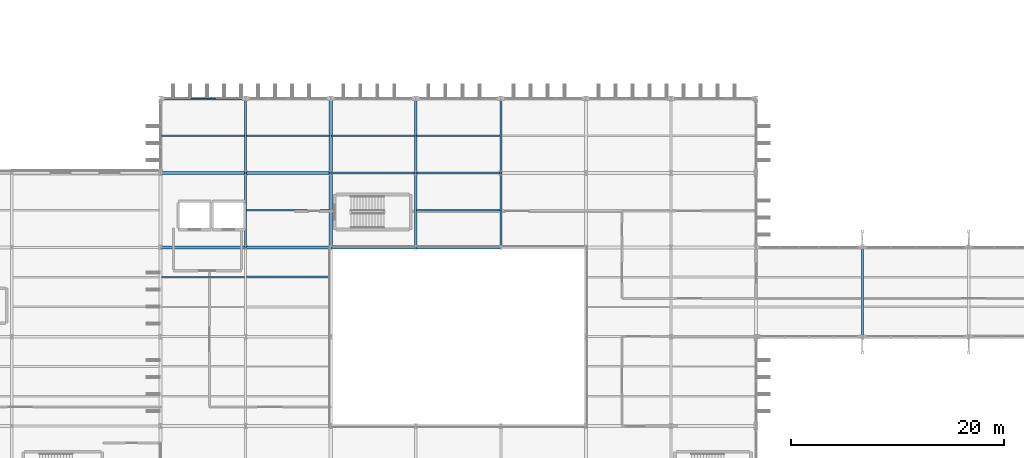
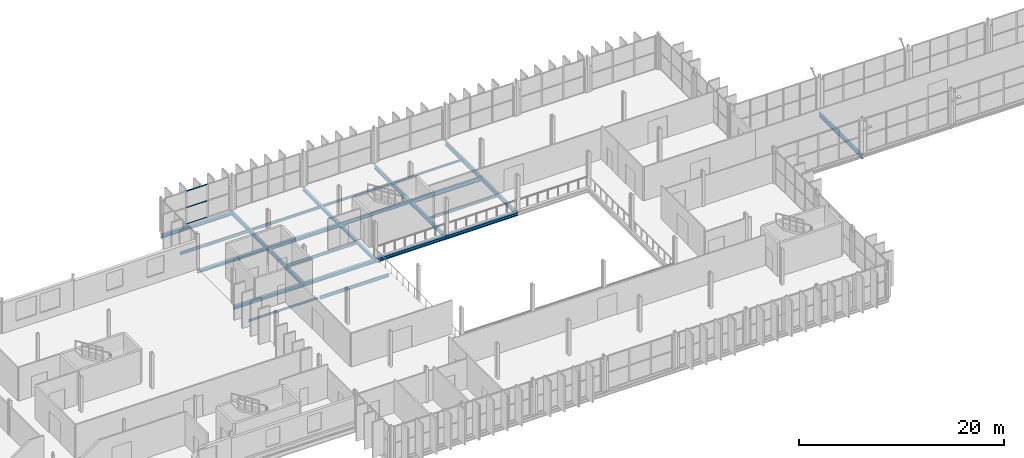
# One storey, part 40 of 101: 26 beams, 3 members, 1 element without a shape of its own.
"""IFC4 building model written with IfcOpenShell, lengths in metres."""

from ifc_helpers import new_model, si_unit, direction, frame, origin, origin_2d, place, context, subcontext, project, spatial, hollow_rectangle, i_section, extrude, material, layer, layer_set, material_profile, profile_set, type_object, element, aggregate, save


model = new_model("IFC4")

# Units and contexts
model_context = context("Model", 3, precision=1e-05, world=origin(), true_north=direction((0.0, 1.0)))
body_context = subcontext(model_context, "Body", "Model", "MODEL_VIEW")
ifc_project = project(units=[si_unit("LENGTHUNIT", "METRE"), si_unit("AREAUNIT", "SQUARE_METRE"), si_unit("VOLUMEUNIT", "CUBIC_METRE"), si_unit("PLANEANGLEUNIT", "RADIAN"), si_unit("MASSUNIT", "GRAM", prefix="KILO")], contexts=[model_context])

# Site, building, storey
site_placement = place(None, origin())
site = spatial("IfcSite", under=ifc_project, at=site_placement, CompositionType="ELEMENT")
building_placement = place(site_placement, origin())
building = spatial("IfcBuilding", under=site, at=building_placement, Name="Vekula Escarpment Museum", CompositionType="ELEMENT")
storey_placement = place(building_placement, frame((0.0, 0.0, 18.0)))
storey = spatial("IfcBuildingStorey", under=building, at=storey_placement, Name="L04", CompositionType="ELEMENT", Elevation=18.0)

# Beams
ifc_material_1 = material(Name="Steel S355", Category="steel")
ifc_material_profile_1 = material_profile(ifc_material_1, i_section(OverallWidth=0.300048828125, OverallDepth=0.320068359375, WebThickness=0.011474609375, FlangeThickness=0.0205078125, FilletRadius=0.027099609375, at=origin_2d()), Name="HEB 320")
ifc_profile_set_1 = profile_set([ifc_material_profile_1], Name="Steel S355")
beam_type_1 = type_object("IfcBeamType", Name="BM-GIRD-HEB320", PredefinedType="BEAM", material=ifc_profile_set_1)
beam_1_placement = place(storey_placement, frame((70.0, 83.39990234375, -0.39990234375), z_axis=(1.0, 0.0, 0.0), x_axis=(0.0, 1.0, 0.0)))
element("IfcBeam", 1, at=beam_1_placement, inside=storey, type_object=beam_type_1, Name="Beam X L04 1771", PredefinedType="BEAM", context=body_context, shape_type="SweptSolid", body=[
    extrude(i_section(OverallWidth=0.300048828125, OverallDepth=0.320068359375, WebThickness=0.011474609375, FlangeThickness=0.0205078125, FilletRadius=0.027099609375, at=origin_2d()), origin(), (0.0, 0.0, 1.0), 8.0),
])
ifc_material_2 = material(Name="Steel S355", Category="steel")
ifc_material_profile_2 = material_profile(ifc_material_2, i_section(OverallWidth=0.300048828125, OverallDepth=0.39990234375, WebThickness=0.013427734375, FlangeThickness=0.02392578125, FilletRadius=0.027099609375, at=origin_2d()), Name="HEB 400")
ifc_profile_set_2 = profile_set([ifc_material_profile_2], Name="Steel S355")
beam_type_2 = type_object("IfcBeamType", Name="BM-GIRD-HEB400", PredefinedType="BEAM", material=ifc_profile_set_2)
beam_2_placement = place(storey_placement, frame((78.0, 83.39990234375, -0.43994140625), z_axis=(1.0, 0.0, 0.0), x_axis=(0.0, 1.0, 0.0)))
element("IfcBeam", 2, at=beam_2_placement, inside=storey, type_object=beam_type_2, Name="Beam X L04 1772", PredefinedType="BEAM", context=body_context, shape_type="SweptSolid", body=[
    extrude(i_section(OverallWidth=0.300048828125, OverallDepth=0.39990234375, WebThickness=0.013427734375, FlangeThickness=0.02392578125, FilletRadius=0.027099609375, at=origin_2d()), origin(), (0.0, 0.0, 1.0), 8.0),
])
ifc_material_3 = material(Name="Steel S355", Category="steel")
ifc_material_profile_3 = material_profile(ifc_material_3, i_section(OverallWidth=0.179931640625, OverallDepth=0.39990234375, WebThickness=0.008544921875, FlangeThickness=0.013427734375, FilletRadius=0.02099609375, at=origin_2d()), Name="IPE 400")
ifc_profile_set_3 = profile_set([ifc_material_profile_3], Name="Steel S355")
beam_type_3 = type_object("IfcBeamType", Name="BM-GIRD-IPE400", PredefinedType="BEAM", material=ifc_profile_set_3)
beam_3_placement = place(storey_placement, frame((86.0, 83.39990234375, -0.43994140625), z_axis=(1.0, 0.0, 0.0), x_axis=(0.0, 1.0, 0.0)))
element("IfcBeam", 3, at=beam_3_placement, inside=storey, type_object=beam_type_3, Name="Beam X L04 1773", PredefinedType="BEAM", context=body_context, shape_type="SweptSolid", body=[
    extrude(i_section(OverallWidth=0.179931640625, OverallDepth=0.39990234375, WebThickness=0.008544921875, FlangeThickness=0.013427734375, FilletRadius=0.02099609375, at=origin_2d()), origin(), (0.0, 0.0, 1.0), 8.0),
])
ifc_material_4 = material(Name="Steel S355", Category="steel")
ifc_material_profile_4 = material_profile(ifc_material_4, i_section(OverallWidth=0.199951171875, OverallDepth=0.5, WebThickness=0.01025390625, FlangeThickness=0.01611328125, FilletRadius=0.02099609375, at=origin_2d()), Name="IPE 500")
ifc_profile_set_4 = profile_set([ifc_material_profile_4], Name="Steel S355")
beam_type_4 = type_object("IfcBeamType", Name="BM-GIRD-IPE500", PredefinedType="BEAM", material=ifc_profile_set_4)
beam_4_placement = place(storey_placement, frame((94.0, 83.39990234375, -0.489990234375), z_axis=(1.0, 0.0, 0.0), x_axis=(0.0, 1.0, 0.0)))
element("IfcBeam", 4, at=beam_4_placement, inside=storey, type_object=beam_type_4, Name="Beam X L04 1774", PredefinedType="BEAM", context=body_context, shape_type="SweptSolid", body=[
    extrude(i_section(OverallWidth=0.199951171875, OverallDepth=0.5, WebThickness=0.01025390625, FlangeThickness=0.01611328125, FilletRadius=0.02099609375, at=origin_2d()), origin(), (0.0, 0.0, 1.0), 8.0),
])
for number, where, z_axis, x_axis, name in (
    (5, (78.0, 76.39990234375, -0.489990234375), (0.0, 1.0, 0.0), (-1.0, 0.0, 0.0), "Beam Y L04 1883"),
    (6, (78.0, 83.39990234375, -0.489990234375), (0.0, 1.0, 0.0), (-1.0, 0.0, 0.0), "Beam Y L04 1884"),
    (7, (94.0, 76.39990234375, -0.489990234375), (0.0, 1.0, 0.0), (-1.0, 0.0, 0.0), "Beam Y L04 1893"),
    (8, (94.0, 83.39990234375, -0.489990234375), (0.0, 1.0, 0.0), (-1.0, 0.0, 0.0), "Beam Y L04 1894"),
    (9, (102.0, 76.39990234375, -0.489990234375), (0.0, 1.0, 0.0), (-1.0, 0.0, 0.0), "Beam Y L04 1897"),
    (10, (102.0, 83.39990234375, -0.489990234375), (0.0, 1.0, 0.0), (-1.0, 0.0, 0.0), "Beam Y L04 1898"),
):
    element("IfcBeam", number, at=place(storey_placement, frame(where, z_axis=z_axis, x_axis=x_axis)), inside=storey, type_object=beam_type_4, Name=name, PredefinedType="BEAM", context=body_context, shape_type="SweptSolid", body=[
        extrude(i_section(OverallWidth=0.199951171875, OverallDepth=0.5, WebThickness=0.01025390625, FlangeThickness=0.01611328125, FilletRadius=0.02099609375, at=origin_2d()), origin(), (0.0, 0.0, 1.0), 7.0),
    ])
beam_5_placement = place(storey_placement, frame((136.0, 68.0, -0.489990234375), z_axis=(0.0, 1.0, 0.0), x_axis=(-1.0, 0.0, 0.0)))
element("IfcBeam", 11, at=beam_5_placement, inside=storey, type_object=beam_type_4, Name="Beam Y L04 1917", PredefinedType="BEAM", context=body_context, shape_type="SweptSolid", body=[
    extrude(i_section(OverallWidth=0.199951171875, OverallDepth=0.5, WebThickness=0.01025390625, FlangeThickness=0.01611328125, FilletRadius=0.02099609375, at=origin_2d()), origin(), (0.0, 0.0, 1.0), 8.39990234375),
])
ifc_material_5 = material(Name="Steel S355", Category="steel")
ifc_material_profile_5 = material_profile(ifc_material_5, i_section(OverallWidth=0.1201171875, OverallDepth=0.239990234375, WebThickness=0.006103515625, FlangeThickness=0.009765625, FilletRadius=0.014892578125, at=origin_2d()), Name="IPE 240")
ifc_profile_set_5 = profile_set([ifc_material_profile_5], Name="Steel S355")
beam_type_5 = type_object("IfcBeamType", Name="BM-JST-IPE240", PredefinedType="JOIST", material=ifc_profile_set_5)
for number, where, z_axis, x_axis, name in (
    (12, (70.090087890625, 73.60009765625, -0.360107421875), (1.0, 0.0, 0.0), (0.0, 1.0, 0.0), "Secondary Joist L04 1202"),
    (13, (94.090087890625, 86.89990234375, -0.360107421875), (1.0, 0.0, 0.0), (0.0, 1.0, 0.0), "Secondary Joist L04 1218"),
):
    element("IfcBeam", number, at=place(storey_placement, frame(where, z_axis=z_axis, x_axis=x_axis)), inside=storey, type_object=beam_type_5, Name=name, PredefinedType="JOIST", context=body_context, shape_type="SweptSolid", body=[
        extrude(i_section(OverallWidth=0.1201171875, OverallDepth=0.239990234375, WebThickness=0.006103515625, FlangeThickness=0.009765625, FilletRadius=0.014892578125, at=origin_2d()), origin(), (0.0, 0.0, 1.0), 7.81982421875),
    ])
ifc_material_6 = material(Name="Steel S355", Category="steel")
ifc_material_profile_6 = material_profile(ifc_material_6, i_section(OverallWidth=0.135009765625, OverallDepth=0.27001953125, WebThickness=0.006591796875, FlangeThickness=0.01025390625, FilletRadius=0.014892578125, at=origin_2d()), Name="IPE 270")
ifc_profile_set_6 = profile_set([ifc_material_profile_6], Name="Steel S355")
beam_type_6 = type_object("IfcBeamType", Name="BM-JST-IPE270", PredefinedType="JOIST", material=ifc_profile_set_6)
for number, where, z_axis, x_axis, name in (
    (14, (86.090087890625, 86.89990234375, -0.375), (1.0, 0.0, 0.0), (0.0, 1.0, 0.0), "Secondary Joist L04 1214"),
    (15, (94.090087890625, 79.89990234375, -0.375), (1.0, 0.0, 0.0), (0.0, 1.0, 0.0), "Secondary Joist L04 1217"),
):
    element("IfcBeam", number, at=place(storey_placement, frame(where, z_axis=z_axis, x_axis=x_axis)), inside=storey, type_object=beam_type_6, Name=name, PredefinedType="JOIST", context=body_context, shape_type="SweptSolid", body=[
        extrude(i_section(OverallWidth=0.135009765625, OverallDepth=0.27001953125, WebThickness=0.006591796875, FlangeThickness=0.01025390625, FilletRadius=0.014892578125, at=origin_2d()), origin(), (0.0, 0.0, 1.0), 7.81982421875),
    ])
ifc_material_7 = material(Name="Steel S355", Category="steel")
ifc_material_profile_7 = material_profile(ifc_material_7, i_section(OverallWidth=0.14990234375, OverallDepth=0.300048828125, WebThickness=0.007080078125, FlangeThickness=0.0107421875, FilletRadius=0.014892578125, at=origin_2d()), Name="IPE 300")
ifc_profile_set_7 = profile_set([ifc_material_profile_7], Name="Steel S355")
beam_type_7 = type_object("IfcBeamType", Name="BM-JST-IPE300", PredefinedType="JOIST", material=ifc_profile_set_7)
beam_6_placement = place(storey_placement, frame((78.090087890625, 86.89990234375, -0.389892578125), z_axis=(1.0, 0.0, 0.0), x_axis=(0.0, 1.0, 0.0)))
element("IfcBeam", 16, at=beam_6_placement, inside=storey, type_object=beam_type_7, Name="Secondary Joist L04 1211", PredefinedType="JOIST", context=body_context, shape_type="SweptSolid", body=[
    extrude(i_section(OverallWidth=0.14990234375, OverallDepth=0.300048828125, WebThickness=0.007080078125, FlangeThickness=0.0107421875, FilletRadius=0.014892578125, at=origin_2d()), origin(), (0.0, 0.0, 1.0), 7.81982421875),
])
ifc_material_8 = material(Name="Steel S355", Category="steel")
ifc_material_profile_8 = material_profile(ifc_material_8, i_section(OverallWidth=0.159912109375, OverallDepth=0.330078125, WebThickness=0.007568359375, FlangeThickness=0.011474609375, FilletRadius=0.01806640625, at=origin_2d()), Name="IPE 330")
ifc_profile_set_8 = profile_set([ifc_material_profile_8], Name="Steel S355")
beam_type_8 = type_object("IfcBeamType", Name="BM-JST-IPE330", PredefinedType="JOIST", material=ifc_profile_set_8)
for number, where, z_axis, x_axis, name in (
    (17, (70.090087890625, 86.89990234375, -0.405029296875), (1.0, 0.0, 0.0), (0.0, 1.0, 0.0), "Secondary Joist L04 1203"),
    (18, (78.090087890625, 79.89990234375, -0.405029296875), (1.0, 0.0, 0.0), (0.0, 1.0, 0.0), "Secondary Joist L04 1210"),
):
    element("IfcBeam", number, at=place(storey_placement, frame(where, z_axis=z_axis, x_axis=x_axis)), inside=storey, type_object=beam_type_8, Name=name, PredefinedType="JOIST", context=body_context, shape_type="SweptSolid", body=[
        extrude(i_section(OverallWidth=0.159912109375, OverallDepth=0.330078125, WebThickness=0.007568359375, FlangeThickness=0.011474609375, FilletRadius=0.01806640625, at=origin_2d()), origin(), (0.0, 0.0, 1.0), 7.81982421875),
    ])
ifc_material_9 = material(Name="Steel S355", Category="steel")
ifc_material_profile_9 = material_profile(ifc_material_9, i_section(OverallWidth=0.169921875, OverallDepth=0.360107421875, WebThickness=0.008056640625, FlangeThickness=0.0126953125, FilletRadius=0.01806640625, at=origin_2d()), Name="IPE 360")
ifc_profile_set_9 = profile_set([ifc_material_profile_9], Name="Steel S355")
beam_type_9 = type_object("IfcBeamType", Name="BM-JST-IPE360", PredefinedType="JOIST", material=ifc_profile_set_9)
beam_7_placement = place(storey_placement, frame((78.090087890625, 73.60009765625, -0.419921875), z_axis=(1.0, 0.0, 0.0), x_axis=(0.0, 1.0, 0.0)))
element("IfcBeam", 19, at=beam_7_placement, inside=storey, type_object=beam_type_9, Name="Secondary Joist L04 1209", PredefinedType="JOIST", context=body_context, shape_type="SweptSolid", body=[
    extrude(i_section(OverallWidth=0.169921875, OverallDepth=0.360107421875, WebThickness=0.008056640625, FlangeThickness=0.0126953125, FilletRadius=0.01806640625, at=origin_2d()), origin(), (0.0, 0.0, 1.0), 7.81982421875),
])
ifc_material_10 = material(Name="Steel S355", Category="steel")
ifc_material_profile_10 = material_profile(ifc_material_10, i_section(OverallWidth=0.300048828125, OverallDepth=0.2900390625, WebThickness=0.008544921875, FlangeThickness=0.013916015625, FilletRadius=0.027099609375, at=origin_2d()), Name="HEA 300")
ifc_profile_set_10 = profile_set([ifc_material_profile_10], Name="Steel S355")
beam_type_10 = type_object("IfcBeamType", Name="BM-SPAN-HEA300", PredefinedType="SPANDREL", material=ifc_profile_set_10)
for number, where, z_axis, x_axis, name in (
    (20, (86.0, 76.39990234375, -0.385009765625), (0.0, 1.0, 0.0), (-1.0, 0.0, 0.0), "Beam Y L04 1889"),
    (21, (86.0, 83.39990234375, -0.385009765625), (0.0, 1.0, 0.0), (-1.0, 0.0, 0.0), "Beam Y L04 1890"),
):
    element("IfcBeam", number, at=place(storey_placement, frame(where, z_axis=z_axis, x_axis=x_axis)), inside=storey, type_object=beam_type_10, Name=name, PredefinedType="SPANDREL", context=body_context, shape_type="SweptSolid", body=[
        extrude(i_section(OverallWidth=0.300048828125, OverallDepth=0.2900390625, WebThickness=0.008544921875, FlangeThickness=0.013916015625, FilletRadius=0.027099609375, at=origin_2d()), origin(), (0.0, 0.0, 1.0), 7.0),
    ])
ifc_material_11 = material(Name="Steel S355", Category="steel")
ifc_material_profile_11 = material_profile(ifc_material_11, i_section(OverallWidth=0.300048828125, OverallDepth=0.389892578125, WebThickness=0.010986328125, FlangeThickness=0.01904296875, FilletRadius=0.027099609375, at=origin_2d()), Name="HEA 400")
ifc_profile_set_11 = profile_set([ifc_material_profile_11], Name="Steel S355")
beam_type_11 = type_object("IfcBeamType", Name="BM-SPAN-HEA400", PredefinedType="SPANDREL", material=ifc_profile_set_11)
for number, where, z_axis, x_axis, name in (
    (22, (70.0, 76.39990234375, -0.43505859375), (1.0, 0.0, 0.0), (0.0, 1.0, 0.0), "Beam X L04 1749"),
    (23, (78.0, 76.39990234375, -0.43505859375), (1.0, 0.0, 0.0), (0.0, 1.0, 0.0), "Beam X L04 1750"),
    (24, (86.0, 76.39990234375, -0.43505859375), (1.0, 0.0, 0.0), (0.0, 1.0, 0.0), "Beam X L04 1751"),
    (25, (94.0, 76.39990234375, -0.43505859375), (1.0, 0.0, 0.0), (0.0, 1.0, 0.0), "Beam X L04 1752"),
    (26, (70.0, 90.39990234375, -0.43505859375), (1.0, 0.0, 0.0), (0.0, 1.0, 0.0), "Beam X L04 1782"),
):
    element("IfcBeam", number, at=place(storey_placement, frame(where, z_axis=z_axis, x_axis=x_axis)), inside=storey, type_object=beam_type_11, Name=name, PredefinedType="SPANDREL", context=body_context, shape_type="SweptSolid", body=[
        extrude(i_section(OverallWidth=0.300048828125, OverallDepth=0.389892578125, WebThickness=0.010986328125, FlangeThickness=0.01904296875, FilletRadius=0.027099609375, at=origin_2d()), origin(), (0.0, 0.0, 1.0), 8.0),
    ])

# Curtain wall, members
ifc_material_12 = material(Name="Aluminium thermally broken framing", Category="aluminium")
ifc_layer = layer(ifc_material_12, 0.169921875)
ifc_layer_set = layer_set([ifc_layer], Name="Aluminium thermally broken framing")
curtain_wall_type = type_object("IfcCurtainWallType", Name="CW-SYS-10", PredefinedType="NOTDEFINED", material=ifc_layer_set)
curtain_wall_placement = place(storey_placement, origin())
curtain_wall = element("IfcCurtainWall", 27, at=curtain_wall_placement, inside=storey, type_object=curtain_wall_type, Name="Curtain Wall CW-L04-160", PredefinedType="NOTDEFINED")
ifc_material_13 = material(Name="Aluminium anodized transom", Category="aluminium")
ifc_material_profile_12 = material_profile(ifc_material_13, hollow_rectangle(XDim=0.06005859375, YDim=0.1201171875, WallThickness=0.00390625, InnerFilletRadius=0.00390625, OuterFilletRadius=0.008056640625, at=origin_2d()), Name="ALU 120x60x4")
ifc_profile_set_12 = profile_set([ifc_material_profile_12], Name="Aluminium anodized transom")
member_type = type_object("IfcMemberType", Name="CW-TRN-120", PredefinedType="USERDEFINED", material=ifc_profile_set_12)
member_1_placement = place(storey_placement, frame((75.183349609375, 90.39990234375, 0.030029296875), z_axis=(-1.0, 0.0, 0.0), x_axis=(0.0, -1.0, 0.0)))
member_1 = element("IfcMember", 28, at=member_1_placement, type_object=member_type, Name="CW-10 transom 2.1", ObjectType="TRANSOM", PredefinedType="USERDEFINED", context=body_context, shape_type="SweptSolid", body=[
    extrude(hollow_rectangle(XDim=0.06005859375, YDim=0.1201171875, WallThickness=0.00390625, InnerFilletRadius=0.00390625, OuterFilletRadius=0.008056640625, at=origin_2d()), origin(), (0.0, 0.0, 1.0), 2.36669921875),
])
member_2_placement = place(storey_placement, frame((75.183349609375, 90.39990234375, 1.989990234375), z_axis=(-1.0, 0.0, 0.0), x_axis=(0.0, -1.0, 0.0)))
member_2 = element("IfcMember", 29, at=member_2_placement, type_object=member_type, Name="CW-10 transom 2.2", ObjectType="TRANSOM", PredefinedType="USERDEFINED", context=body_context, shape_type="SweptSolid", body=[
    extrude(hollow_rectangle(XDim=0.06005859375, YDim=0.1201171875, WallThickness=0.00390625, InnerFilletRadius=0.00390625, OuterFilletRadius=0.008056640625, at=origin_2d()), origin(), (0.0, 0.0, 1.0), 2.36669921875),
])
member_3_placement = place(storey_placement, frame((75.183349609375, 90.39990234375, 3.949951171875), z_axis=(-1.0, 0.0, 0.0), x_axis=(0.0, -1.0, 0.0)))
member_3 = element("IfcMember", 30, at=member_3_placement, type_object=member_type, Name="CW-10 transom 2.3", ObjectType="TRANSOM", PredefinedType="USERDEFINED", context=body_context, shape_type="SweptSolid", body=[
    extrude(hollow_rectangle(XDim=0.06005859375, YDim=0.1201171875, WallThickness=0.00390625, InnerFilletRadius=0.00390625, OuterFilletRadius=0.008056640625, at=origin_2d()), origin(), (0.0, 0.0, 1.0), 2.36669921875),
])
aggregate(curtain_wall, [member_1, member_2, member_3])

save(model, "model.ifc")
